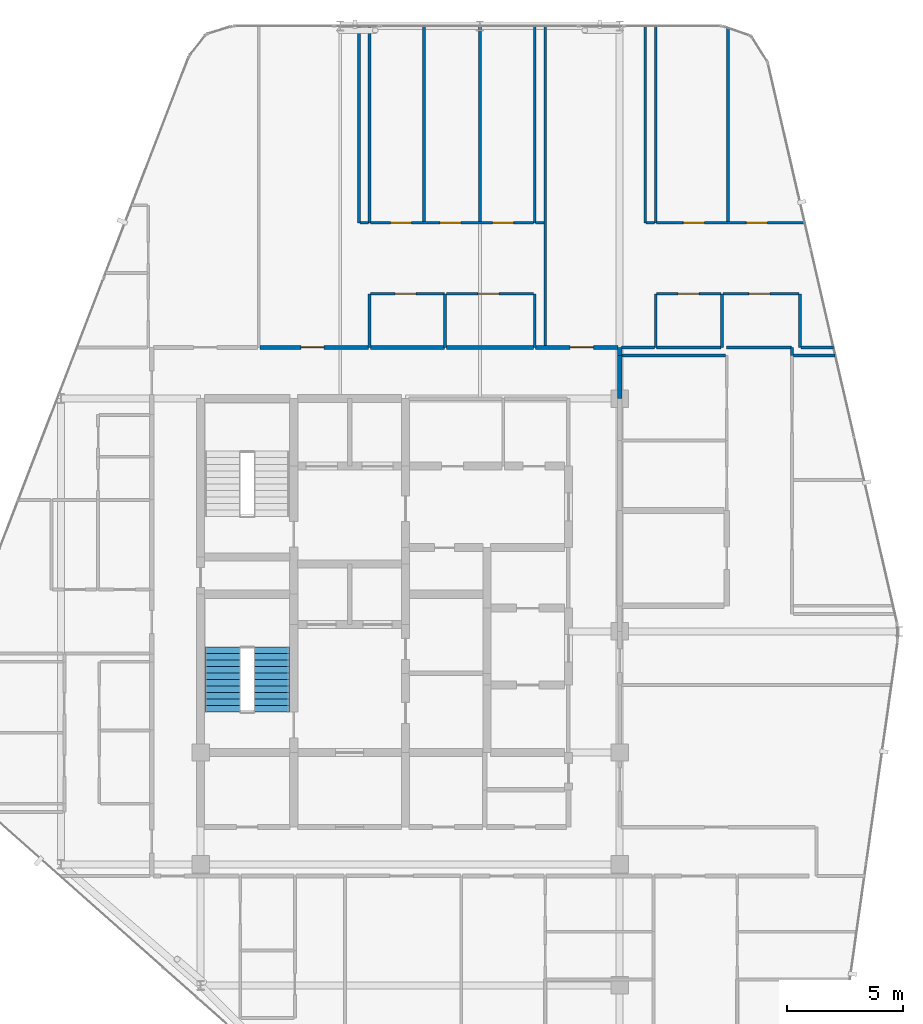
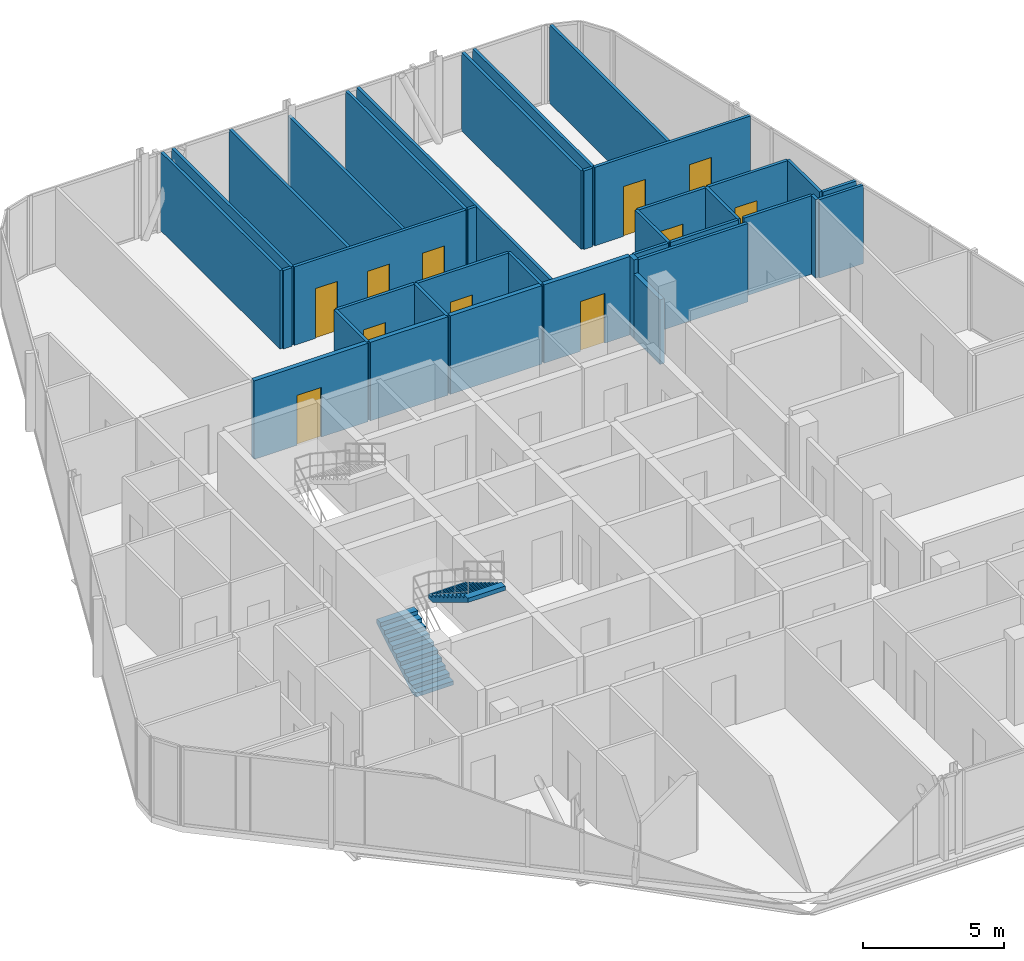
# One storey, part 26 of 28: 37 walls, 11 doors, 2 stair flights, 11 openings, 1 element without a shape of its own.
"""IFC4 building model written with IfcOpenShell, lengths in metres."""

import ifcopenshell
import ifcopenshell.guid

model = None  # the IFC model being written
_history = None  # IfcOwnerHistory: only IFC2X3 demands one
_inside = {}  # id of a spatial element -> (the spatial element, [elements in it])
_under = {}  # id of a project, library or spatial element -> (it, [spatial elements below it])
_declared = {}  # id of a project -> (the project, [libraries it declares])
_typed = {}  # id of a type object -> (the type object, [elements of that type])
_made_of = {}  # id of a material, layer set ... -> (it, [elements and type objects made of it])


def new_model(schema):
    """Start an empty IFC model of exactly this schema.

    Asked for "IFC4X3", IfcOpenShell would pick the latest addendum, in which some entities
    have other attributes; the version numbers below select the first issue.
    IFC2X3 requires an IfcOwnerHistory on every rooted entity: one is made here for all.
    """
    global model, _history
    if schema == "IFC4X3":
        model = ifcopenshell.file(schema_version=(4, 3, 0, 0))
    else:
        model = ifcopenshell.file(schema=schema)
    _inside.clear()
    _under.clear()
    _declared.clear()
    _typed.clear()
    _made_of.clear()
    _history = None
    if model.schema == "IFC2X3":
        org = make("IfcOrganization", Name="unknown")
        user = make(
            "IfcPersonAndOrganization",
            ThePerson=make("IfcPerson", FamilyName="unknown"),
            TheOrganization=org,
        )
        app = make(
            "IfcApplication",
            ApplicationDeveloper=org,
            Version="unknown",
            ApplicationFullName="unknown",
            ApplicationIdentifier="unknown",
        )
        _history = make(
            "IfcOwnerHistory",
            OwningUser=user,
            OwningApplication=app,
            ChangeAction="ADDED",
            CreationDate=0,
        )
    return model


def make(cls, **values):
    """One entity of the class cls with the attributes given. An attribute that is None is left unset."""
    return model.create_entity(
        cls, **{name: value for name, value in values.items() if value is not None}
    )


def rooted(cls, **values):
    """An entity with a GlobalId (a new one), such as an element, a storey or a relation."""
    return make(cls, GlobalId=ifcopenshell.guid.new(), OwnerHistory=_history, **values)


def si_unit(unit_type, name, prefix=None):
    """IfcSIUnit, for example si_unit("LENGTHUNIT", "METRE", prefix="MILLI")."""
    return make("IfcSIUnit", UnitType=unit_type, Prefix=prefix, Name=name)


def assignment(units):
    """IfcUnitAssignment: the units of a project."""
    return None if units is None else make("IfcUnitAssignment", Units=units)


def point(xyz):
    """IfcCartesianPoint."""
    return None if xyz is None else make("IfcCartesianPoint", Coordinates=xyz)


def direction(xyz):
    """IfcDirection."""
    return None if xyz is None else make("IfcDirection", DirectionRatios=xyz)


def frame(location, z_axis=None, x_axis=None):
    """IfcAxis2Placement3D, a coordinate frame: its origin and axes. An axis left out is left unset."""
    return make(
        "IfcAxis2Placement3D",
        Location=point(location),
        Axis=direction(z_axis),
        RefDirection=direction(x_axis),
    )


def frame_2d(location, x_axis=None):
    """IfcAxis2Placement2D, a coordinate frame in the plane: its origin and x axis."""
    return make(
        "IfcAxis2Placement2D", Location=point(location), RefDirection=direction(x_axis)
    )


def origin():
    """The frame at (0, 0, 0) with its axes left unset."""
    return frame((0.0, 0.0, 0.0))


def place(relative_to, where):
    """IfcLocalPlacement: puts the frame where relative to a parent placement (None: the world)."""
    return make(
        "IfcLocalPlacement", PlacementRelTo=relative_to, RelativePlacement=where
    )


def context(
    kind, dimensions, precision=None, world=None, true_north=None, identifier=None
):
    """IfcGeometricRepresentationContext, for example the 3D "Model" context."""
    return make(
        "IfcGeometricRepresentationContext",
        ContextIdentifier=identifier,
        ContextType=kind,
        CoordinateSpaceDimension=dimensions,
        Precision=precision,
        WorldCoordinateSystem=world,
        TrueNorth=true_north,
    )


def subcontext(parent, identifier, kind, view, scale=None):
    """IfcGeometricRepresentationSubContext, for example "Body" below "Model"."""
    return make(
        "IfcGeometricRepresentationSubContext",
        ContextIdentifier=identifier,
        ContextType=kind,
        ParentContext=parent,
        TargetScale=scale,
        TargetView=view,
    )


def project(units=None, contexts=None):
    """IfcProject with its units and contexts."""
    return rooted(
        "IfcProject",
        Name="project",
        RepresentationContexts=contexts,
        UnitsInContext=assignment(units),
    )


def spatial(cls, under=None, at=None, **own):
    """A site, building, storey or space (cls), placed at a placement, below another one or the project."""
    s = rooted(cls, ObjectPlacement=at, **own)
    if under is not None:
        _under.setdefault(under.id(), (under, []))[1].append(s)
    return s


def polyline(points):
    """IfcPolyline through the points."""
    return make("IfcPolyline", Points=[point(p) for p in points])


def profile(cls, at=None, kind="AREA", **sizes):
    """A parametric profile (cls). Its sizes go by their IFC names, for example OverallWidth=200.0."""
    return make(cls, ProfileType=kind, Position=at, **sizes)


def rectangle(**sizes):
    """IfcRectangleProfileDef."""
    return profile("IfcRectangleProfileDef", **sizes)


def outline(outer, holes=None, kind="AREA"):
    """IfcArbitraryClosedProfileDef: a profile drawn as a closed curve; with holes, ...WithVoids."""
    if holes is None:
        return make("IfcArbitraryClosedProfileDef", ProfileType=kind, OuterCurve=outer)
    return make(
        "IfcArbitraryProfileDefWithVoids",
        ProfileType=kind,
        OuterCurve=outer,
        InnerCurves=holes,
    )


def extrude(swept, where, along, depth):
    """IfcExtrudedAreaSolid: the profile swept, set in the frame where, extruded along a direction by depth."""
    return make(
        "IfcExtrudedAreaSolid",
        SweptArea=swept,
        Position=where,
        ExtrudedDirection=direction(along),
        Depth=depth,
    )


def shape(context_of_items, identifier, shape_type, items):
    """IfcShapeRepresentation: the items that make up one representation, for example the "Body"."""
    return make(
        "IfcShapeRepresentation",
        ContextOfItems=context_of_items,
        RepresentationIdentifier=identifier,
        RepresentationType=shape_type,
        Items=items,
    )


def material(Name=None, Category=None):
    """IfcMaterial."""
    return make("IfcMaterial", Name=Name, Category=Category)


def layer(
    of_material, thickness, ventilated=None, Name=None, Category=None, Priority=None
):
    """IfcMaterialLayer: one layer of a wall or slab, of a material (None: an air gap)."""
    return make(
        "IfcMaterialLayer",
        Material=of_material,
        LayerThickness=thickness,
        IsVentilated=ventilated,
        Name=Name,
        Category=Category,
        Priority=Priority,
    )


def layer_set(layers, Name=None):
    """IfcMaterialLayerSet."""
    return make("IfcMaterialLayerSet", MaterialLayers=layers, LayerSetName=Name)


def made_of(thing, what):
    """Note that an element or type object is made of a material, layer set ...; save() writes the relation."""
    if what is not None:
        _made_of.setdefault(what.id(), (what, []))[1].append(thing)
    return thing


def type_object(cls, material=None, **own):
    """A type object (cls), such as IfcWallType, which elements share."""
    return made_of(rooted(cls, **own), material)


def element(
    cls,
    number,
    at=None,
    inside=None,
    cuts=None,
    type_object=None,
    material=None,
    context=None,
    identifier="Body",
    shape_type=None,
    held_by="IfcProductDefinitionShape",
    body=None,
    shapes=None,
    **own,
):
    """One element of the class cls, such as IfcWall. Its Tag is "e" and its number.

    at: its placement. inside: the storey or other place that contains it. cuts: it is an
    opening in that element (IfcRelVoidsElement). A single representation is given by context,
    identifier, shape_type and body (its items); several are given by shapes. held_by: the class
    of the entity that holds the representations. save() writes the other relations.
    """
    e = rooted(cls, Tag="e%d" % number, ObjectPlacement=at, **own)
    if body is not None:
        shapes = [shape(context, identifier, shape_type, body)]
    if shapes is not None:
        e.Representation = make(held_by, Representations=shapes)
    if inside is not None:
        _inside.setdefault(inside.id(), (inside, []))[1].append(e)
    if cuts is not None:
        rooted(
            "IfcRelVoidsElement", RelatingBuildingElement=cuts, RelatedOpeningElement=e
        )
    if type_object is not None:
        _typed.setdefault(type_object.id(), (type_object, []))[1].append(e)
    return made_of(e, material)


def fill(opening, filler):
    """IfcRelFillsElement: the door or window that sits in an opening."""
    return rooted(
        "IfcRelFillsElement",
        RelatingOpeningElement=opening,
        RelatedBuildingElement=filler,
    )


def aggregate(whole, parts):
    """IfcRelAggregates: a whole, such as a stair, and the parts it consists of."""
    return rooted("IfcRelAggregates", RelatingObject=whole, RelatedObjects=parts)


def save(model, path):
    """Write the relations noted so far, then the file.

    IfcRelAggregates (storeys below a building ...), IfcRelContainedInSpatialStructure (elements
    in a storey), IfcRelDefinesByType, IfcRelAssociatesMaterial and IfcRelDeclares: one each for
    every whole, place, type object, material and project.
    """
    for whole, parts in _under.values():
        aggregate(whole, parts)
    for where, things in _inside.values():
        rooted(
            "IfcRelContainedInSpatialStructure",
            RelatedElements=things,
            RelatingStructure=where,
        )
    for kind, things in _typed.values():
        rooted("IfcRelDefinesByType", RelatedObjects=things, RelatingType=kind)
    for what, things in _made_of.values():
        rooted("IfcRelAssociatesMaterial", RelatedObjects=things, RelatingMaterial=what)
    for by, libraries in _declared.values():
        rooted("IfcRelDeclares", RelatingContext=by, RelatedDefinitions=libraries)
    model.write(path)


model = new_model("IFC4")

# Units and contexts
model_context = context("Model", 3, precision=1e-05, world=origin(), true_north=direction((0.0, 1.0)))
body_context = subcontext(model_context, "Body", "Model", "MODEL_VIEW")
ifc_project = project(units=[si_unit("LENGTHUNIT", "METRE"), si_unit("AREAUNIT", "SQUARE_METRE"), si_unit("VOLUMEUNIT", "CUBIC_METRE"), si_unit("PLANEANGLEUNIT", "RADIAN"), si_unit("MASSUNIT", "GRAM", prefix="KILO")], contexts=[model_context])

# Site, building, storey
site_placement = place(None, origin())
site = spatial("IfcSite", under=ifc_project, at=site_placement, CompositionType="ELEMENT")
building_placement = place(site_placement, origin())
building = spatial("IfcBuilding", under=site, at=building_placement, Name="Keshet Zoharim Tower", CompositionType="ELEMENT")
storey_placement = place(building_placement, frame((0.0, 0.0, 265.800048828125)))
storey = spatial("IfcBuildingStorey", under=building, at=storey_placement, Name="L66", CompositionType="ELEMENT", Elevation=265.800048828125)

# Wall
ifc_material_1 = material(Name="Gypsum Plasterboard", Category="gypsum")
ifc_layer_1 = layer(ifc_material_1, 0.179931640625)
ifc_layer_set_1 = layer_set([ifc_layer_1], Name="Gypsum Plasterboard")
wall_type_1 = type_object("IfcWallType", Name="WL-CORR-180", PredefinedType="STANDARD", material=ifc_layer_set_1)
wall_1_placement = place(storey_placement, frame((33.0, 39.75, 0.0), z_axis=(0.0, 0.0, 1.0), x_axis=(0.0, 1.0, 0.0)))
element("IfcWall", 1, at=wall_1_placement, inside=storey, type_object=wall_type_1, Name="L66 Interior Wall 077", PredefinedType="STANDARD", context=body_context, shape_type="SweptSolid", body=[
    extrude(rectangle(XDim=0.35009765625, YDim=0.179931640625, at=frame_2d((0.175048828125, 0.0))), origin(), (0.0, 0.0, 1.0), 3.389892578125),
])

# Wall, opening, door
wall_2_placement = place(storey_placement, frame((17.544921875, 40.10009765625, 0.0), z_axis=(0.0, 0.0, 1.0), x_axis=(1.0, 0.0, 0.0)))
wall_2 = element("IfcWall", 2, at=wall_2_placement, inside=storey, type_object=wall_type_1, Name="L66 Interior Wall 167", PredefinedType="STANDARD", context=body_context, shape_type="SweptSolid", body=[
    extrude(rectangle(XDim=4.66015625, YDim=0.179931640625, at=frame_2d((2.330078125, 0.0))), origin(), (0.0, 0.0, 1.0), 3.389892578125),
])
opening_1_placement = place(wall_2_placement, frame((1.759033203125, 0.0, 0.0)))
opening_1 = element("IfcOpeningElement", 3, at=opening_1_placement, cuts=wall_2, Name="Opening D-F310", PredefinedType="OPENING", context=body_context, shape_type="SweptSolid", body=[
    extrude(rectangle(XDim=1.0, YDim=2.14990234375, at=frame_2d((0.5, 1.074951171875))), frame((0.0, 0.10009765625, 0.0), z_axis=(0.0, -1.0, 0.0), x_axis=(1.0, 0.0, 0.0)), (0.0, 0.0, 1.0), 0.199951171875),
])
ifc_material_2 = material(Name="Hardwood Timber", Category="wood")
door_type_1 = type_object("IfcDoorType", Name="DR-FD30-100", OperationType="NOTDEFINED", PredefinedType="DOOR", material=ifc_material_2)
door_1_placement = place(opening_1_placement, origin())
door_1 = element("IfcDoor", 4, at=door_1_placement, inside=storey, type_object=door_type_1, Name="Apartment 6605 Entrance Door", OperationType="SINGLE_SWING_RIGHT", OverallHeight=2.14990234375, OverallWidth=1.0, PredefinedType="DOOR", context=body_context, shape_type="SweptSolid", body=[
    extrude(rectangle(XDim=1.0, YDim=2.14990234375, at=frame_2d((0.5, 1.074951171875))), frame((0.0, 0.02490234375, 0.0), z_axis=(0.0, -1.0, 0.0), x_axis=(1.0, 0.0, 0.0)), (0.0, 0.0, 1.0), 0.050048828125),
])
fill(opening_1, door_1)

# Walls
wall_3_placement = place(storey_placement, frame((22.294921875, 40.10009765625, 0.0), z_axis=(0.0, 0.0, 1.0), x_axis=(1.0, 0.0, 0.0)))
element("IfcWall", 5, at=wall_3_placement, inside=storey, type_object=wall_type_1, Name="L66 Interior Wall 168", PredefinedType="STANDARD", context=body_context, shape_type="SweptSolid", body=[
    extrude(rectangle(XDim=3.176025390625, YDim=0.179931640625, at=frame_2d((1.587890625, 0.0))), origin(), (0.0, 0.0, 1.0), 3.389892578125),
])
wall_4_placement = place(storey_placement, frame((25.56103515625, 40.10009765625, 0.0), z_axis=(0.0, 0.0, 1.0), x_axis=(1.0, 0.0, 0.0)))
element("IfcWall", 6, at=wall_4_placement, inside=storey, type_object=wall_type_1, Name="L66 Interior Wall 169", PredefinedType="STANDARD", context=body_context, shape_type="SweptSolid", body=[
    extrude(rectangle(XDim=3.743896484375, YDim=0.179931640625, at=frame_2d((1.8720703125, 0.0))), origin(), (0.0, 0.0, 1.0), 3.389892578125),
])

# Wall, opening, door
wall_5_placement = place(storey_placement, frame((29.39501953125, 40.10009765625, 0.0), z_axis=(0.0, 0.0, 1.0), x_axis=(1.0, 0.0, 0.0)))
wall_5 = element("IfcWall", 7, at=wall_5_placement, inside=storey, type_object=wall_type_1, Name="L66 Interior Wall 170", PredefinedType="STANDARD", context=body_context, shape_type="SweptSolid", body=[
    extrude(rectangle(XDim=3.530029296875, YDim=0.179931640625, at=frame_2d((1.76513671875, 0.0))), origin(), (0.0, 0.0, 1.0), 3.389892578125),
])
opening_2_placement = place(wall_5_placement, frame((1.47998046875, 0.0, 0.0)))
opening_2 = element("IfcOpeningElement", 8, at=opening_2_placement, cuts=wall_5, Name="Opening D-F310", PredefinedType="OPENING", context=body_context, shape_type="SweptSolid", body=[
    extrude(rectangle(XDim=1.0, YDim=2.14990234375, at=frame_2d((0.5, 1.074951171875))), frame((0.0, 0.10009765625, 0.0), z_axis=(0.0, -1.0, 0.0), x_axis=(1.0, 0.0, 0.0)), (0.0, 0.0, 1.0), 0.199951171875),
])
door_2_placement = place(opening_2_placement, origin())
door_2 = element("IfcDoor", 9, at=door_2_placement, inside=storey, type_object=door_type_1, Name="Apartment 6606 Entrance Door", OperationType="SINGLE_SWING_LEFT", OverallHeight=2.14990234375, OverallWidth=1.0, PredefinedType="DOOR", context=body_context, shape_type="SweptSolid", body=[
    extrude(rectangle(XDim=1.0, YDim=2.14990234375, at=frame_2d((0.5, 1.074951171875))), frame((0.0, 0.02490234375, 0.0), z_axis=(0.0, -1.0, 0.0), x_axis=(1.0, 0.0, 0.0)), (0.0, 0.0, 1.0), 0.050048828125),
])
fill(opening_2, door_2)

# Walls
wall_6_placement = place(storey_placement, frame((33.0, 37.89990234375, 0.0), z_axis=(0.0, 0.0, 1.0), x_axis=(0.0, 1.0, 0.0)))
element("IfcWall", 10, at=wall_6_placement, inside=storey, type_object=wall_type_1, Name="L66 Interior Wall 076 Part 2", PredefinedType="STANDARD", context=body_context, shape_type="SweptSolid", body=[
    extrude(rectangle(XDim=1.85009765625, YDim=0.179931640625, at=frame_2d((0.925048828125, 0.0))), origin(), (0.0, 0.0, 1.0), 2.7900390625),
])
ifc_layer_2 = layer(ifc_material_1, 0.1201171875)
ifc_layer_set_2 = layer_set([ifc_layer_2], Name="Gypsum Plasterboard")
wall_type_2 = type_object("IfcWallType", Name="WL-PART-120", PredefinedType="PARTITIONING", material=ifc_layer_set_2)
wall_7_placement = place(storey_placement, frame((21.800048828125, 45.449951171875, 0.0), z_axis=(0.0, 0.0, 1.0), x_axis=(0.0, 1.0, 0.0)))
element("IfcWall", 11, at=wall_7_placement, inside=storey, type_object=wall_type_2, Name="L66 Interior Wall 038", PredefinedType="PARTITIONING", context=body_context, shape_type="SweptSolid", body=[
    extrude(rectangle(XDim=8.43994140625, YDim=0.1201171875, at=frame_2d((4.219970703125, 0.0))), origin(), (0.0, 0.0, 1.0), 3.389892578125),
])
wall_8_placement = place(storey_placement, frame((22.25, 40.10009765625, 0.0), z_axis=(0.0, 0.0, 1.0), x_axis=(0.0, 1.0, 0.0)))
element("IfcWall", 12, at=wall_8_placement, inside=storey, type_object=wall_type_2, Name="L66 Interior Wall 039", PredefinedType="PARTITIONING", context=body_context, shape_type="SweptSolid", body=[
    extrude(rectangle(XDim=2.2998046875, YDim=0.1201171875, at=frame_2d((1.14990234375, 0.0))), origin(), (0.0, 0.0, 1.0), 3.389892578125),
])
for number, where, z_axis, x_axis, name in (
    (13, (22.25, 45.449951171875, 0.0), (0.0, 0.0, 1.0), (0.0, 1.0, 0.0), "L66 Interior Wall 040"),
    (14, (24.60009765625, 45.449951171875, 0.0), (0.0, 0.0, 1.0), (0.0, 1.0, 0.0), "L66 Interior Wall 048"),
):
    element("IfcWall", number, at=place(storey_placement, frame(where, z_axis=z_axis, x_axis=x_axis)), inside=storey, type_object=wall_type_2, Name=name, PredefinedType="PARTITIONING", context=body_context, shape_type="SweptSolid", body=[
        extrude(rectangle(XDim=8.43994140625, YDim=0.1201171875, at=frame_2d((4.219970703125, 0.0))), origin(), (0.0, 0.0, 1.0), 3.389892578125),
    ])
wall_9_placement = place(storey_placement, frame((27.0, 45.449951171875, 0.0), z_axis=(0.0, 0.0, 1.0), x_axis=(0.0, 1.0, 0.0)))
element("IfcWall", 15, at=wall_9_placement, inside=storey, type_object=wall_type_2, Name="L66 Interior Wall 051", PredefinedType="PARTITIONING", context=body_context, shape_type="SweptSolid", body=[
    extrude(rectangle(XDim=8.43994140625, YDim=0.1201171875, at=frame_2d((4.219970703125, 0.0))), origin(), (0.0, 0.0, 1.0), 3.14990234375),
])
wall_10_placement = place(storey_placement, frame((29.35009765625, 45.449951171875, 0.0), z_axis=(0.0, 0.0, 1.0), x_axis=(0.0, 1.0, 0.0)))
element("IfcWall", 16, at=wall_10_placement, inside=storey, type_object=wall_type_2, Name="L66 Interior Wall 060", PredefinedType="PARTITIONING", context=body_context, shape_type="SweptSolid", body=[
    extrude(rectangle(XDim=8.43994140625, YDim=0.1201171875, at=frame_2d((4.219970703125, 0.0))), origin(), (0.0, 0.0, 1.0), 3.389892578125),
])
wall_11_placement = place(storey_placement, frame((29.800048828125, 40.10009765625, 0.0), z_axis=(0.0, 0.0, 1.0), x_axis=(0.0, 1.0, 0.0)))
element("IfcWall", 17, at=wall_11_placement, inside=storey, type_object=wall_type_2, Name="L66 Interior Wall 064", PredefinedType="PARTITIONING", context=body_context, shape_type="SweptSolid", body=[
    extrude(rectangle(XDim=13.789794921875, YDim=0.1201171875, at=frame_2d((6.89501953125, 0.0))), origin(), (0.0, 0.0, 1.0), 3.389892578125),
])
wall_12_placement = place(storey_placement, frame((34.10009765625, 45.449951171875, 0.0), z_axis=(0.0, 0.0, 1.0), x_axis=(0.0, 1.0, 0.0)))
element("IfcWall", 18, at=wall_12_placement, inside=storey, type_object=wall_type_2, Name="L66 Interior Wall 078", PredefinedType="PARTITIONING", context=body_context, shape_type="SweptSolid", body=[
    extrude(rectangle(XDim=8.43994140625, YDim=0.1201171875, at=frame_2d((4.219970703125, 0.0))), origin(), (0.0, 0.0, 1.0), 3.389892578125),
])
wall_13_placement = place(storey_placement, frame((34.550048828125, 40.10009765625, 0.0), z_axis=(0.0, 0.0, 1.0), x_axis=(0.0, 1.0, 0.0)))
element("IfcWall", 19, at=wall_13_placement, inside=storey, type_object=wall_type_2, Name="L66 Interior Wall 082", PredefinedType="PARTITIONING", context=body_context, shape_type="SweptSolid", body=[
    extrude(rectangle(XDim=2.2998046875, YDim=0.1201171875, at=frame_2d((1.14990234375, 0.0))), origin(), (0.0, 0.0, 1.0), 3.389892578125),
])
wall_14_placement = place(storey_placement, frame((34.550048828125, 45.449951171875, 0.0), z_axis=(0.0, 0.0, 1.0), x_axis=(0.0, 1.0, 0.0)))
element("IfcWall", 20, at=wall_14_placement, inside=storey, type_object=wall_type_2, Name="L66 Interior Wall 083", PredefinedType="PARTITIONING", context=body_context, shape_type="SweptSolid", body=[
    extrude(rectangle(XDim=8.43994140625, YDim=0.1201171875, at=frame_2d((4.219970703125, 0.0))), origin(), (0.0, 0.0, 1.0), 3.389892578125),
])
wall_15_placement = place(storey_placement, frame((37.64990234375, 45.449951171875, 0.0), z_axis=(0.0, 0.0, 1.0), x_axis=(0.0, 1.0, 0.0)))
element("IfcWall", 21, at=wall_15_placement, inside=storey, type_object=wall_type_2, Name="L66 Interior Wall 088", PredefinedType="PARTITIONING", context=body_context, shape_type="SweptSolid", body=[
    extrude(rectangle(XDim=8.35595703125, YDim=0.1201171875, at=frame_2d((4.177978515625, 0.0))), origin(), (0.0, 0.0, 1.0), 3.389892578125),
])
wall_16_placement = place(storey_placement, frame((40.39990234375, 39.75, 0.0), z_axis=(0.0, 0.0, 1.0), x_axis=(0.0, 1.0, 0.0)))
element("IfcWall", 22, at=wall_16_placement, inside=storey, type_object=wall_type_2, Name="L66 Interior Wall 094", PredefinedType="PARTITIONING", context=body_context, shape_type="SweptSolid", body=[
    extrude(rectangle(XDim=0.35009765625, YDim=0.1201171875, at=frame_2d((0.175048828125, 0.0))), origin(), (0.0, 0.0, 1.0), 3.389892578125),
])
wall_17_placement = place(storey_placement, frame((33.074951171875, 39.75, 0.0), z_axis=(0.0, 0.0, 1.0), x_axis=(1.0, 0.0, 0.0)))
element("IfcWall", 23, at=wall_17_placement, inside=storey, type_object=wall_type_2, Name="L66 Interior Wall 163", PredefinedType="PARTITIONING", context=body_context, shape_type="SweptSolid", body=[
    extrude(rectangle(XDim=4.4599609375, YDim=0.1201171875, at=frame_2d((2.22998046875, 0.0))), origin(), (0.0, 0.0, 1.0), 3.389892578125),
])
wall_18_placement = place(storey_placement, frame((40.465087890625, 39.75, 0.0), z_axis=(0.0, 0.0, 1.0), x_axis=(1.0, 0.0, 0.0)))
element("IfcWall", 24, at=wall_18_placement, inside=storey, type_object=wall_type_2, Name="L66 Interior Wall 164", PredefinedType="PARTITIONING", context=body_context, shape_type="SweptSolid", body=[
    extrude(rectangle(XDim=1.789794921875, YDim=0.1201171875, at=frame_2d((0.89501953125, 0.0))), origin(), (0.0, 0.0, 1.0), 3.389892578125),
])
wall_19_placement = place(storey_placement, frame((33.074951171875, 40.10009765625, 0.0), z_axis=(0.0, 0.0, 1.0), x_axis=(1.0, 0.0, 0.0)))
element("IfcWall", 25, at=wall_19_placement, inside=storey, type_object=wall_type_2, Name="L66 Interior Wall 171", PredefinedType="PARTITIONING", context=body_context, shape_type="SweptSolid", body=[
    extrude(rectangle(XDim=1.41015625, YDim=0.1201171875, at=frame_2d((0.705078125, 0.0))), origin(), (0.0, 0.0, 1.0), 3.389892578125),
])
wall_20_placement = place(storey_placement, frame((34.574951171875, 40.10009765625, 0.0), z_axis=(0.0, 0.0, 1.0), x_axis=(1.0, 0.0, 0.0)))
element("IfcWall", 26, at=wall_20_placement, inside=storey, type_object=wall_type_2, Name="L66 Interior Wall 172", PredefinedType="PARTITIONING", context=body_context, shape_type="SweptSolid", body=[
    extrude(rectangle(XDim=2.77197265625, YDim=0.1201171875, at=frame_2d((1.385986328125, 0.0))), origin(), (0.0, 0.0, 1.0), 3.389892578125),
])
wall_21_placement = place(storey_placement, frame((40.7958984375, 40.10009765625, 0.0), z_axis=(0.0, 0.0, 1.0), x_axis=(1.0, 0.0, 0.0)))
element("IfcWall", 27, at=wall_21_placement, inside=storey, type_object=wall_type_2, Name="L66 Interior Wall 174", PredefinedType="PARTITIONING", context=body_context, shape_type="SweptSolid", body=[
    extrude(rectangle(XDim=1.379150390625, YDim=0.1201171875, at=frame_2d((0.689453125, 0.0))), origin(), (0.0, 0.0, 1.0), 3.389892578125),
])

# Wall, opening, door
wall_22_placement = place(storey_placement, frame((22.294921875, 42.39990234375, 0.0), z_axis=(0.0, 0.0, 1.0), x_axis=(1.0, 0.0, 0.0)))
wall_22 = element("IfcWall", 28, at=wall_22_placement, inside=storey, type_object=wall_type_2, Name="L66 Interior Wall 175", PredefinedType="PARTITIONING", context=body_context, shape_type="SweptSolid", body=[
    extrude(rectangle(XDim=3.176025390625, YDim=0.1201171875, at=frame_2d((1.587890625, 0.0))), origin(), (0.0, 0.0, 1.0), 3.389892578125),
])
opening_3_placement = place(wall_22_placement, frame((1.06591796875, 0.0, 0.0)))
opening_3 = element("IfcOpeningElement", 29, at=opening_3_placement, cuts=wall_22, Name="Opening D-IN90", PredefinedType="OPENING", context=body_context, shape_type="SweptSolid", body=[
    extrude(rectangle(XDim=0.89990234375, YDim=2.14990234375, at=frame_2d((0.449951171875, 1.074951171875))), frame((0.0, 0.070068359375, 0.0), z_axis=(0.0, -1.0, 0.0), x_axis=(1.0, 0.0, 0.0)), (0.0, 0.0, 1.0), 0.14013671875),
])
door_type_2 = type_object("IfcDoorType", Name="DR-INT-090", OperationType="NOTDEFINED", PredefinedType="DOOR", material=ifc_material_2)
door_3_placement = place(opening_3_placement, origin())
door_3 = element("IfcDoor", 30, at=door_3_placement, inside=storey, type_object=door_type_2, Name="Apartment 6605 Kitchen Door", OperationType="SINGLE_SWING_RIGHT", OverallHeight=2.14990234375, OverallWidth=0.89990234375, PredefinedType="DOOR", context=body_context, shape_type="SweptSolid", body=[
    extrude(rectangle(XDim=0.89990234375, YDim=2.14990234375, at=frame_2d((0.449951171875, 1.074951171875))), frame((0.0, 0.02490234375, 0.0), z_axis=(0.0, -1.0, 0.0), x_axis=(1.0, 0.0, 0.0)), (0.0, 0.0, 1.0), 0.050048828125),
])
fill(opening_3, door_3)

wall_23_placement = place(storey_placement, frame((34.574951171875, 42.39990234375, 0.0), z_axis=(0.0, 0.0, 1.0), x_axis=(1.0, 0.0, 0.0)))
wall_23 = element("IfcWall", 31, at=wall_23_placement, inside=storey, type_object=wall_type_2, Name="L66 Interior Wall 177", PredefinedType="PARTITIONING", context=body_context, shape_type="SweptSolid", body=[
    extrude(rectangle(XDim=2.77197265625, YDim=0.1201171875, at=frame_2d((1.385986328125, 0.0))), origin(), (0.0, 0.0, 1.0), 3.389892578125),
])
opening_4_placement = place(wall_23_placement, frame((0.93603515625, 0.0, 0.0)))
opening_4 = element("IfcOpeningElement", 32, at=opening_4_placement, cuts=wall_23, Name="Opening D-IN90", PredefinedType="OPENING", context=body_context, shape_type="SweptSolid", body=[
    extrude(rectangle(XDim=0.89990234375, YDim=2.14990234375, at=frame_2d((0.449951171875, 1.074951171875))), frame((0.0, 0.070068359375, 0.0), z_axis=(0.0, -1.0, 0.0), x_axis=(1.0, 0.0, 0.0)), (0.0, 0.0, 1.0), 0.14013671875),
])
door_4_placement = place(opening_4_placement, origin())
door_4 = element("IfcDoor", 33, at=door_4_placement, inside=storey, type_object=door_type_2, Name="Apartment 6606 Kitchen Door", OperationType="SINGLE_SWING_RIGHT", OverallHeight=2.14990234375, OverallWidth=0.89990234375, PredefinedType="DOOR", context=body_context, shape_type="SweptSolid", body=[
    extrude(rectangle(XDim=0.89990234375, YDim=2.14990234375, at=frame_2d((0.449951171875, 1.074951171875))), frame((0.0, 0.02490234375, 0.0), z_axis=(0.0, -1.0, 0.0), x_axis=(1.0, 0.0, 0.0)), (0.0, 0.0, 1.0), 0.050048828125),
])
fill(opening_4, door_4)

# Wall
wall_24_placement = place(storey_placement, frame((21.844970703125, 45.449951171875, 0.0), z_axis=(0.0, 0.0, 1.0), x_axis=(1.0, 0.0, 0.0)))
element("IfcWall", 34, at=wall_24_placement, inside=storey, type_object=wall_type_2, Name="L66 Interior Wall 180", PredefinedType="PARTITIONING", context=body_context, shape_type="SweptSolid", body=[
    extrude(rectangle(XDim=0.360107421875, YDim=0.1201171875, at=frame_2d((0.18017578125, 0.0))), origin(), (0.0, 0.0, 1.0), 3.389892578125),
])

# Wall, openings, doors
wall_25_placement = place(storey_placement, frame((22.294921875, 45.449951171875, 0.0), z_axis=(0.0, 0.0, 1.0), x_axis=(1.0, 0.0, 0.0)))
wall_25 = element("IfcWall", 35, at=wall_25_placement, inside=storey, type_object=wall_type_2, Name="L66 Interior Wall 181", PredefinedType="PARTITIONING", context=body_context, shape_type="SweptSolid", body=[
    extrude(rectangle(XDim=7.010009765625, YDim=0.1201171875, at=frame_2d((3.5048828125, 0.0))), origin(), (0.0, 0.0, 1.0), 3.389892578125),
])
opening_5_placement = place(wall_25_placement, frame((0.863037109375, 0.0, 0.0)))
opening_5 = element("IfcOpeningElement", 36, at=opening_5_placement, cuts=wall_25, Name="Opening D-IN90", PredefinedType="OPENING", context=body_context, shape_type="SweptSolid", body=[
    extrude(rectangle(XDim=0.89990234375, YDim=2.14990234375, at=frame_2d((0.449951171875, 1.074951171875))), frame((0.0, 0.070068359375, 0.0), z_axis=(0.0, -1.0, 0.0), x_axis=(1.0, 0.0, 0.0)), (0.0, 0.0, 1.0), 0.14013671875),
])
opening_6_placement = place(wall_25_placement, frame((2.985107421875, 0.0, 0.0)))
opening_6 = element("IfcOpeningElement", 37, at=opening_6_placement, cuts=wall_25, Name="Opening D-IN90", PredefinedType="OPENING", context=body_context, shape_type="SweptSolid", body=[
    extrude(rectangle(XDim=0.89990234375, YDim=2.14990234375, at=frame_2d((0.449951171875, 1.074951171875))), frame((0.0, 0.070068359375, 0.0), z_axis=(0.0, -1.0, 0.0), x_axis=(1.0, 0.0, 0.0)), (0.0, 0.0, 1.0), 0.14013671875),
])
opening_7_placement = place(wall_25_placement, frame((5.24609375, 0.0, 0.0)))
opening_7 = element("IfcOpeningElement", 38, at=opening_7_placement, cuts=wall_25, Name="Opening D-IN90", PredefinedType="OPENING", context=body_context, shape_type="SweptSolid", body=[
    extrude(rectangle(XDim=0.89990234375, YDim=2.14990234375, at=frame_2d((0.449951171875, 1.074951171875))), frame((0.0, 0.070068359375, 0.0), z_axis=(0.0, -1.0, 0.0), x_axis=(1.0, 0.0, 0.0)), (0.0, 0.0, 1.0), 0.14013671875),
])
door_5_placement = place(opening_5_placement, origin())
door_5 = element("IfcDoor", 39, at=door_5_placement, inside=storey, type_object=door_type_2, Name="Apartment 6605 Bedroom 1 Door", OperationType="SINGLE_SWING_RIGHT", OverallHeight=2.14990234375, OverallWidth=0.89990234375, PredefinedType="DOOR", context=body_context, shape_type="SweptSolid", body=[
    extrude(rectangle(XDim=0.89990234375, YDim=2.14990234375, at=frame_2d((0.449951171875, 1.074951171875))), frame((0.0, 0.02490234375, 0.0), z_axis=(0.0, -1.0, 0.0), x_axis=(1.0, 0.0, 0.0)), (0.0, 0.0, 1.0), 0.050048828125),
])
fill(opening_5, door_5)
door_6_placement = place(opening_6_placement, origin())
door_6 = element("IfcDoor", 40, at=door_6_placement, inside=storey, type_object=door_type_2, Name="Apartment 6605 Bedroom 2 Door", OperationType="SINGLE_SWING_LEFT", OverallHeight=2.14990234375, OverallWidth=0.89990234375, PredefinedType="DOOR", context=body_context, shape_type="SweptSolid", body=[
    extrude(rectangle(XDim=0.89990234375, YDim=2.14990234375, at=frame_2d((0.449951171875, 1.074951171875))), frame((0.0, 0.02490234375, 0.0), z_axis=(0.0, -1.0, 0.0), x_axis=(1.0, 0.0, 0.0)), (0.0, 0.0, 1.0), 0.050048828125),
])
fill(opening_6, door_6)
door_7_placement = place(opening_7_placement, origin())
door_7 = element("IfcDoor", 41, at=door_7_placement, inside=storey, type_object=door_type_2, Name="Apartment 6605 Bedroom 3 Door", OperationType="SINGLE_SWING_RIGHT", OverallHeight=2.14990234375, OverallWidth=0.89990234375, PredefinedType="DOOR", context=body_context, shape_type="SweptSolid", body=[
    extrude(rectangle(XDim=0.89990234375, YDim=2.14990234375, at=frame_2d((0.449951171875, 1.074951171875))), frame((0.0, 0.02490234375, 0.0), z_axis=(0.0, -1.0, 0.0), x_axis=(1.0, 0.0, 0.0)), (0.0, 0.0, 1.0), 0.050048828125),
])
fill(opening_7, door_7)

# Walls
wall_26_placement = place(storey_placement, frame((29.39501953125, 45.449951171875, 0.0), z_axis=(0.0, 0.0, 1.0), x_axis=(1.0, 0.0, 0.0)))
element("IfcWall", 42, at=wall_26_placement, inside=storey, type_object=wall_type_2, Name="L66 Interior Wall 182", PredefinedType="PARTITIONING", context=body_context, shape_type="SweptSolid", body=[
    extrude(rectangle(XDim=0.35986328125, YDim=0.1201171875, at=frame_2d((0.179931640625, 0.0))), origin(), (0.0, 0.0, 1.0), 3.389892578125),
])
wall_27_placement = place(storey_placement, frame((34.125, 45.449951171875, 0.0), z_axis=(0.0, 0.0, 1.0), x_axis=(1.0, 0.0, 0.0)))
element("IfcWall", 43, at=wall_27_placement, inside=storey, type_object=wall_type_2, Name="L66 Interior Wall 183", PredefinedType="PARTITIONING", context=body_context, shape_type="SweptSolid", body=[
    extrude(rectangle(XDim=0.360107421875, YDim=0.1201171875, at=frame_2d((0.18017578125, 0.0))), origin(), (0.0, 0.0, 1.0), 3.389892578125),
])

# Wall, openings, doors
wall_28_placement = place(storey_placement, frame((34.574951171875, 45.449951171875, 0.0), z_axis=(0.0, 0.0, 1.0), x_axis=(1.0, 0.0, 0.0)))
wall_28 = element("IfcWall", 44, at=wall_28_placement, inside=storey, type_object=wall_type_2, Name="L66 Interior Wall 184", PredefinedType="PARTITIONING", context=body_context, shape_type="SweptSolid", body=[
    extrude(rectangle(XDim=6.364990234375, YDim=0.1201171875, at=frame_2d((3.1826171875, 0.0))), origin(), (0.0, 0.0, 1.0), 3.389892578125),
])
opening_8_placement = place(wall_28_placement, frame((1.160888671875, 0.0, 0.0)))
opening_8 = element("IfcOpeningElement", 45, at=opening_8_placement, cuts=wall_28, Name="Opening D-IN90", PredefinedType="OPENING", context=body_context, shape_type="SweptSolid", body=[
    extrude(rectangle(XDim=0.89990234375, YDim=2.14990234375, at=frame_2d((0.449951171875, 1.074951171875))), frame((0.0, 0.070068359375, 0.0), z_axis=(0.0, -1.0, 0.0), x_axis=(1.0, 0.0, 0.0)), (0.0, 0.0, 1.0), 0.14013671875),
])
opening_9_placement = place(wall_28_placement, frame((3.868896484375, 0.0, 0.0)))
opening_9 = element("IfcOpeningElement", 46, at=opening_9_placement, cuts=wall_28, Name="Opening D-IN90", PredefinedType="OPENING", context=body_context, shape_type="SweptSolid", body=[
    extrude(rectangle(XDim=0.89990234375, YDim=2.14990234375, at=frame_2d((0.449951171875, 1.074951171875))), frame((0.0, 0.070068359375, 0.0), z_axis=(0.0, -1.0, 0.0), x_axis=(1.0, 0.0, 0.0)), (0.0, 0.0, 1.0), 0.14013671875),
])
door_8_placement = place(opening_8_placement, origin())
door_8 = element("IfcDoor", 47, at=door_8_placement, inside=storey, type_object=door_type_2, Name="Apartment 6606 Bedroom 1 Door", OperationType="SINGLE_SWING_LEFT", OverallHeight=2.14990234375, OverallWidth=0.89990234375, PredefinedType="DOOR", context=body_context, shape_type="SweptSolid", body=[
    extrude(rectangle(XDim=0.89990234375, YDim=2.14990234375, at=frame_2d((0.449951171875, 1.074951171875))), frame((0.0, 0.02490234375, 0.0), z_axis=(0.0, -1.0, 0.0), x_axis=(1.0, 0.0, 0.0)), (0.0, 0.0, 1.0), 0.050048828125),
])
fill(opening_8, door_8)
door_9_placement = place(opening_9_placement, origin())
door_9 = element("IfcDoor", 48, at=door_9_placement, inside=storey, type_object=door_type_2, Name="Apartment 6606 Bedroom 2 Door", OperationType="SINGLE_SWING_RIGHT", OverallHeight=2.14990234375, OverallWidth=0.89990234375, PredefinedType="DOOR", context=body_context, shape_type="SweptSolid", body=[
    extrude(rectangle(XDim=0.89990234375, YDim=2.14990234375, at=frame_2d((0.449951171875, 1.074951171875))), frame((0.0, 0.02490234375, 0.0), z_axis=(0.0, -1.0, 0.0), x_axis=(1.0, 0.0, 0.0)), (0.0, 0.0, 1.0), 0.050048828125),
])
fill(opening_9, door_9)

# Walls
ifc_layer_3 = layer(ifc_material_1, 0.1201171875)
ifc_layer_set_3 = layer_set([ifc_layer_3], Name="Gypsum Plasterboard")
wall_type_3 = type_object("IfcWallType", Name="WL-WET-120", PredefinedType="PARTITIONING", material=ifc_layer_set_3)
for number, where, z_axis, x_axis, name in (
    (49, (25.5, 40.10009765625, 0.0), (0.0, 0.0, 1.0), (0.0, 1.0, 0.0), "L66 Interior Wall 049"),
    (50, (29.35009765625, 40.10009765625, 0.0), (0.0, 0.0, 1.0), (0.0, 1.0, 0.0), "L66 Interior Wall 059"),
    (51, (37.39990234375, 40.10009765625, 0.0), (0.0, 0.0, 1.0), (0.0, 1.0, 0.0), "L66 Interior Wall 084"),
    (52, (40.75, 40.10009765625, 0.0), (0.0, 0.0, 1.0), (0.0, 1.0, 0.0), "L66 Interior Wall 095"),
):
    element("IfcWall", number, at=place(storey_placement, frame(where, z_axis=z_axis, x_axis=x_axis)), inside=storey, type_object=wall_type_3, Name=name, PredefinedType="PARTITIONING", context=body_context, shape_type="SweptSolid", body=[
        extrude(rectangle(XDim=2.2998046875, YDim=0.1201171875, at=frame_2d((1.14990234375, 0.0))), origin(), (0.0, 0.0, 1.0), 3.389892578125),
    ])
wall_29_placement = place(storey_placement, frame((37.580078125, 40.10009765625, 0.0), z_axis=(0.0, 0.0, 1.0), x_axis=(1.0, 0.0, 0.0)))
element("IfcWall", 53, at=wall_29_placement, inside=storey, type_object=wall_type_3, Name="L66 Interior Wall 173", PredefinedType="PARTITIONING", context=body_context, shape_type="SweptSolid", body=[
    extrude(rectangle(XDim=2.794921875, YDim=0.1201171875, at=frame_2d((1.3974609375, 0.0))), origin(), (0.0, 0.0, 1.0), 3.389892578125),
])

# Wall, opening, door
wall_30_placement = place(storey_placement, frame((25.56103515625, 42.39990234375, 0.0), z_axis=(0.0, 0.0, 1.0), x_axis=(1.0, 0.0, 0.0)))
wall_30 = element("IfcWall", 54, at=wall_30_placement, inside=storey, type_object=wall_type_3, Name="L66 Interior Wall 176", PredefinedType="PARTITIONING", context=body_context, shape_type="SweptSolid", body=[
    extrude(rectangle(XDim=3.743896484375, YDim=0.1201171875, at=frame_2d((1.8720703125, 0.0))), origin(), (0.0, 0.0, 1.0), 3.389892578125),
])
opening_10_placement = place(wall_30_placement, frame((1.35107421875, 0.0, 0.0)))
opening_10 = element("IfcOpeningElement", 55, at=opening_10_placement, cuts=wall_30, Name="Opening D-WT90", PredefinedType="OPENING", context=body_context, shape_type="SweptSolid", body=[
    extrude(rectangle(XDim=0.89990234375, YDim=2.10009765625, at=frame_2d((0.449951171875, 1.050048828125))), frame((0.0, 0.070068359375, 0.0), z_axis=(0.0, -1.0, 0.0), x_axis=(1.0, 0.0, 0.0)), (0.0, 0.0, 1.0), 0.14013671875),
])
door_type_3 = type_object("IfcDoorType", Name="DR-WET-090", OperationType="NOTDEFINED", PredefinedType="DOOR", material=ifc_material_2)
door_10_placement = place(opening_10_placement, origin())
door_10 = element("IfcDoor", 56, at=door_10_placement, inside=storey, type_object=door_type_3, Name="Apartment 6605 Bathroom Door", OperationType="SINGLE_SWING_LEFT", OverallHeight=2.10009765625, OverallWidth=0.89990234375, PredefinedType="DOOR", context=body_context, shape_type="SweptSolid", body=[
    extrude(rectangle(XDim=0.89990234375, YDim=2.10009765625, at=frame_2d((0.449951171875, 1.050048828125))), frame((0.0, 0.02490234375, 0.0), z_axis=(0.0, -1.0, 0.0), x_axis=(1.0, 0.0, 0.0)), (0.0, 0.0, 1.0), 0.050048828125),
])
fill(opening_10, door_10)

wall_31_placement = place(storey_placement, frame((37.43701171875, 42.39990234375, 0.0), z_axis=(0.0, 0.0, 1.0), x_axis=(1.0, 0.0, 0.0)))
wall_31 = element("IfcWall", 57, at=wall_31_placement, inside=storey, type_object=wall_type_3, Name="L66 Interior Wall 178", PredefinedType="PARTITIONING", context=body_context, shape_type="SweptSolid", body=[
    extrude(rectangle(XDim=3.26904296875, YDim=0.1201171875, at=frame_2d((1.634521484375, 0.0))), origin(), (0.0, 0.0, 1.0), 3.389892578125),
])
opening_11_placement = place(wall_31_placement, frame((1.110107421875, 0.0, 0.0)))
opening_11 = element("IfcOpeningElement", 58, at=opening_11_placement, cuts=wall_31, Name="Opening D-WT90", PredefinedType="OPENING", context=body_context, shape_type="SweptSolid", body=[
    extrude(rectangle(XDim=0.89990234375, YDim=2.10009765625, at=frame_2d((0.449951171875, 1.050048828125))), frame((0.0, 0.070068359375, 0.0), z_axis=(0.0, -1.0, 0.0), x_axis=(1.0, 0.0, 0.0)), (0.0, 0.0, 1.0), 0.14013671875),
])
door_11_placement = place(opening_11_placement, origin())
door_11 = element("IfcDoor", 59, at=door_11_placement, inside=storey, type_object=door_type_3, Name="Apartment 6606 Bathroom Door", OperationType="SINGLE_SWING_LEFT", OverallHeight=2.10009765625, OverallWidth=0.89990234375, PredefinedType="DOOR", context=body_context, shape_type="SweptSolid", body=[
    extrude(rectangle(XDim=0.89990234375, YDim=2.10009765625, at=frame_2d((0.449951171875, 1.050048828125))), frame((0.0, 0.02490234375, 0.0), z_axis=(0.0, -1.0, 0.0), x_axis=(1.0, 0.0, 0.0)), (0.0, 0.0, 1.0), 0.050048828125),
])
fill(opening_11, door_11)

# Stair, stair flights
ifc_material_3 = material(Name="Concrete C50/60", Category="concrete")
stair_type = type_object("IfcStairType", Name="STR-EXIT-135", PredefinedType="HALF_TURN_STAIR", material=ifc_material_3)
stair_placement = place(storey_placement, origin())
stair = element("IfcStair", 60, at=stair_placement, inside=storey, type_object=stair_type, Name="L66 Enclosed Exit Stair ST-01", PredefinedType="HALF_TURN_STAIR")
stair_flight_type = type_object("IfcStairFlightType", Name="FLT-PRE-135", PredefinedType="STRAIGHT", material=ifc_material_3)
stair_flight_1_placement = place(storey_placement, frame((15.945068359375, 24.43994140625, 0.0), z_axis=(0.0, 0.0, 1.0), x_axis=(0.0, 1.0, 0.0)))
stair_flight_1 = element("IfcStairFlight", 61, at=stair_flight_1_placement, type_object=stair_flight_type, Name="ST-01 flight 1", NumberOfRisers=11, NumberOfTreads=10, PredefinedType="STRAIGHT", RiserHeight=0.168182, TreadLength=0.28, context=body_context, shape_type="SweptSolid", body=[
    extrude(outline(polyline([(0.0, 0.0), (0.0, 0.168212890625), (0.280029296875, 0.168212890625), (0.280029296875, 0.33642578125), (0.56005859375, 0.33642578125), (0.56005859375, 0.504638671875), (0.840087890625, 0.504638671875), (0.840087890625, 0.672607421875), (1.1201171875, 0.672607421875), (1.1201171875, 0.8408203125), (1.39990234375, 0.8408203125), (1.39990234375, 1.009033203125), (1.679931640625, 1.009033203125), (1.679931640625, 1.17724609375), (1.9599609375, 1.17724609375), (1.9599609375, 1.345458984375), (2.239990234375, 1.345458984375), (2.239990234375, 1.513671875), (2.52001953125, 1.513671875), (2.52001953125, 1.681884765625), (2.800048828125, 1.681884765625), (2.800048828125, 1.85009765625), (2.800048828125, 1.495361328125), (0.310546875, 0.0), (0.0, 0.0)])), frame((0.0, 0.76513671875, 0.0), z_axis=(0.0, -1.0, 0.0), x_axis=(1.0, 0.0, 0.0)), (0.0, 0.0, 1.0), 1.530029296875),
])
stair_flight_2_placement = place(storey_placement, frame((18.054931640625, 27.239990234375, 1.849853515625), z_axis=(0.0, 0.0, 1.0), x_axis=(0.0, -1.0, 0.0)))
stair_flight_2 = element("IfcStairFlight", 62, at=stair_flight_2_placement, type_object=stair_flight_type, Name="ST-01 flight 2", NumberOfRisers=11, NumberOfTreads=10, PredefinedType="STRAIGHT", RiserHeight=0.168182, TreadLength=0.28, context=body_context, shape_type="SweptSolid", body=[
    extrude(outline(polyline([(0.0, 0.0), (0.0, 0.168212890625), (0.280029296875, 0.168212890625), (0.280029296875, 0.33642578125), (0.56005859375, 0.33642578125), (0.56005859375, 0.504638671875), (0.840087890625, 0.504638671875), (0.840087890625, 0.672607421875), (1.1201171875, 0.672607421875), (1.1201171875, 0.8408203125), (1.39990234375, 0.8408203125), (1.39990234375, 1.009033203125), (1.679931640625, 1.009033203125), (1.679931640625, 1.17724609375), (1.9599609375, 1.17724609375), (1.9599609375, 1.345458984375), (2.239990234375, 1.345458984375), (2.239990234375, 1.513671875), (2.52001953125, 1.513671875), (2.52001953125, 1.681884765625), (2.800048828125, 1.681884765625), (2.800048828125, 1.85009765625), (2.800048828125, 1.495361328125), (0.310546875, 0.0), (0.0, 0.0)])), frame((0.0, 0.76513671875, 0.0), z_axis=(0.0, -1.0, 0.0), x_axis=(1.0, 0.0, 0.0)), (0.0, 0.0, 1.0), 1.530029296875),
])
aggregate(stair, [stair_flight_1, stair_flight_2])

save(model, "model.ifc")
